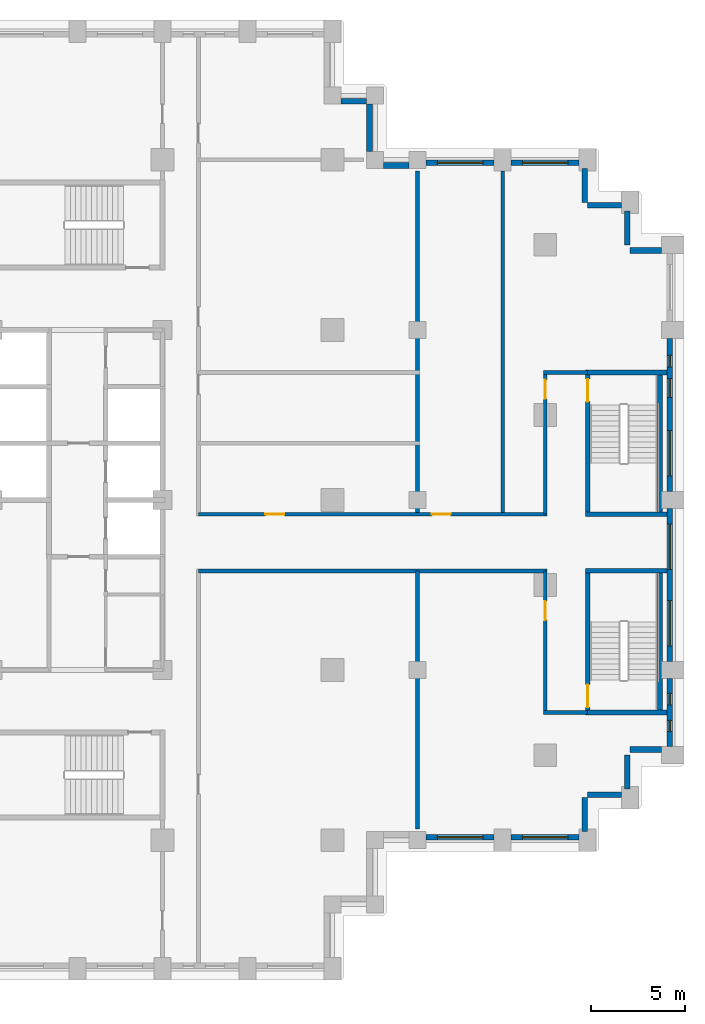
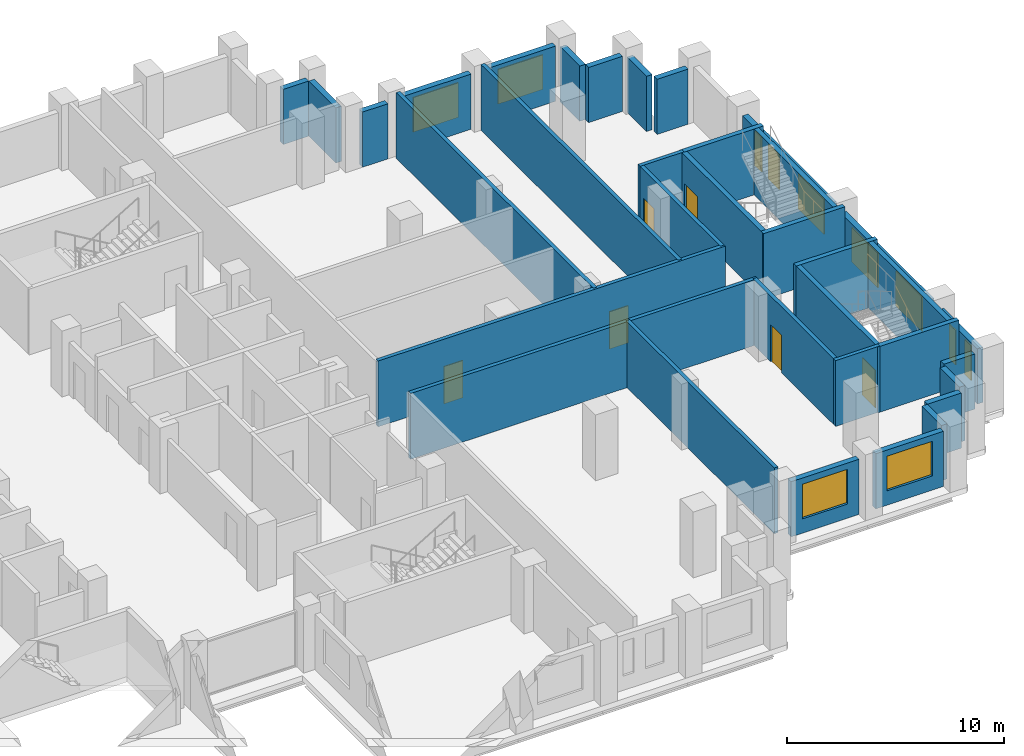
# One storey, part 11 of 15: 35 walls, 11 windows, 6 doors, 17 openings.
"""IFC4 building model written with IfcOpenShell, lengths in metres."""

from ifc_helpers import new_model, si_unit, direction, frame, frame_2d, origin, place, context, subcontext, project, spatial, rectangle, extrude, material, layer, layer_set, type_object, element, fill, save


model = new_model("IFC4")

# Units and contexts
model_context = context("Model", 3, precision=1e-05, world=origin(), true_north=direction((0.0, 1.0)))
body_context = subcontext(model_context, "Body", "Model", "MODEL_VIEW")
ifc_project = project(units=[si_unit("LENGTHUNIT", "METRE"), si_unit("AREAUNIT", "SQUARE_METRE"), si_unit("VOLUMEUNIT", "CUBIC_METRE"), si_unit("PLANEANGLEUNIT", "RADIAN"), si_unit("MASSUNIT", "GRAM", prefix="KILO")], contexts=[model_context])

# Site, building, storey
site_placement = place(None, origin())
site = spatial("IfcSite", under=ifc_project, at=site_placement, CompositionType="ELEMENT")
building_placement = place(site_placement, origin())
building = spatial("IfcBuilding", under=site, at=building_placement, Name="Corbelhall Arena Tower", CompositionType="ELEMENT")
storey_placement = place(building_placement, frame((0.0, 0.0, 84.0)))
storey = spatial("IfcBuildingStorey", under=building, at=storey_placement, Name="L13", CompositionType="ELEMENT", Elevation=84.0)

# Walls
ifc_material_1 = material(Name="Precast concrete C40/50 with granite facing", Category="masonry")
ifc_layer_1 = layer(ifc_material_1, 0.300048828125)
ifc_layer_set_1 = layer_set([ifc_layer_1], Name="EV-IW1 Infill panel 300")
wall_type_1 = type_object("IfcWallType", Name="EV-IW1 Infill panel 300", PredefinedType="SOLIDWALL", material=ifc_layer_set_1)
for number, where, z_axis, x_axis, name in (
    (1, (35.85009765625, -17.550048828125, 0.0), (0.0, 0.0, 1.0), (0.0, 1.0, 0.0), "Infill panel IW1"),
    (2, (37.800048828125, -15.60009765625, 0.0), (0.0, 0.0, 1.0), (-1.0, 0.0, 0.0), "Infill panel IW1"),
    (3, (38.10009765625, -15.300048828125, 0.0), (0.0, 0.0, 1.0), (0.0, 1.0, 0.0), "Infill panel IW1"),
):
    element("IfcWall", number, at=place(storey_placement, frame(where, z_axis=z_axis, x_axis=x_axis)), inside=storey, type_object=wall_type_1, Name=name, PredefinedType="SOLIDWALL", context=body_context, shape_type="SweptSolid", body=[
        extrude(rectangle(XDim=1.800048828125, YDim=0.300048828125, at=frame_2d((0.89990234375, 0.0))), origin(), (0.0, 0.0, 1.0), 3.10009765625),
    ])
for number, where, z_axis, x_axis, name in (
    (4, (39.89990234375, -13.199951171875, 0.0), (0.0, 0.0, 1.0), (-1.0, 0.0, 0.0), "Infill panel IW1"),
    (5, (39.89990234375, 13.199951171875, 0.0), (0.0, 0.0, 1.0), (-1.0, 0.0, 0.0), "Infill panel IW1"),
):
    element("IfcWall", number, at=place(storey_placement, frame(where, z_axis=z_axis, x_axis=x_axis)), inside=storey, type_object=wall_type_1, Name=name, PredefinedType="SOLIDWALL", context=body_context, shape_type="SweptSolid", body=[
        extrude(rectangle(XDim=1.64990234375, YDim=0.300048828125, at=frame_2d((0.824951171875, 0.0))), origin(), (0.0, 0.0, 1.0), 3.10009765625),
    ])
for number, where, z_axis, x_axis, name in (
    (6, (38.10009765625, 15.300048828125, 0.0), (0.0, 0.0, 1.0), (0.0, -1.0, 0.0), "Infill panel IW1"),
    (7, (37.800048828125, 15.60009765625, 0.0), (0.0, 0.0, 1.0), (-1.0, 0.0, 0.0), "Infill panel IW1"),
    (8, (35.85009765625, 17.550048828125, 0.0), (0.0, 0.0, 1.0), (0.0, -1.0, 0.0), "Infill panel IW1"),
):
    element("IfcWall", number, at=place(storey_placement, frame(where, z_axis=z_axis, x_axis=x_axis)), inside=storey, type_object=wall_type_1, Name=name, PredefinedType="SOLIDWALL", context=body_context, shape_type="SweptSolid", body=[
        extrude(rectangle(XDim=1.800048828125, YDim=0.300048828125, at=frame_2d((0.89990234375, 0.0))), origin(), (0.0, 0.0, 1.0), 3.10009765625),
    ])

# Wall, opening, window
wall_1_placement = place(storey_placement, frame((27.449951171875, -17.85009765625, 0.0), z_axis=(0.0, 0.0, 1.0), x_axis=(1.0, 0.0, 0.0)))
wall_1 = element("IfcWall", 9, at=wall_1_placement, inside=storey, type_object=wall_type_1, Name="Infill panel IW1", PredefinedType="SOLIDWALL", context=body_context, shape_type="SweptSolid", body=[
    extrude(rectangle(XDim=3.60009765625, YDim=0.300048828125, at=frame_2d((1.800048828125, 0.0))), origin(), (0.0, 0.0, 1.0), 3.10009765625),
])
opening_1_placement = place(wall_1_placement, frame((0.60009765625, 0.0, 0.800048828125)))
opening_1 = element("IfcOpeningElement", 10, at=opening_1_placement, cuts=wall_1, Name="Opening WN1", PredefinedType="OPENING", context=body_context, shape_type="SweptSolid", body=[
    extrude(rectangle(XDim=2.39990234375, YDim=1.949951171875, at=frame_2d((1.199951171875, 0.97509765625))), frame((0.0, 0.14990234375, 0.0), z_axis=(0.0, -1.0, 0.0), x_axis=(1.0, 0.0, 0.0)), (0.0, 0.0, 1.0), 0.300048828125),
])
ifc_material_2 = material(Name="Aluminium black anodised", Category="aluminium")
window_type_1 = type_object("IfcWindowType", Name="EV-WN1 Office window", PartitioningType="SINGLE_PANEL", PredefinedType="WINDOW", material=ifc_material_2)
window_1_placement = place(opening_1_placement, origin())
window_1 = element("IfcWindow", 11, at=window_1_placement, inside=storey, type_object=window_type_1, Name="Window WN1", OverallHeight=1.949951171875, OverallWidth=2.39990234375, PartitioningType="SINGLE_PANEL", PredefinedType="WINDOW", context=body_context, shape_type="SweptSolid", body=[
    extrude(rectangle(XDim=2.39990234375, YDim=1.949951171875, at=frame_2d((1.199951171875, 0.97509765625))), frame((0.0, 0.030029296875, 0.0), z_axis=(0.0, -1.0, 0.0), x_axis=(1.0, 0.0, 0.0)), (0.0, 0.0, 1.0), 0.06005859375),
])
fill(opening_1, window_1)

wall_2_placement = place(storey_placement, frame((31.949951171875, -17.85009765625, 0.0), z_axis=(0.0, 0.0, 1.0), x_axis=(1.0, 0.0, 0.0)))
wall_2 = element("IfcWall", 12, at=wall_2_placement, inside=storey, type_object=wall_type_1, Name="Infill panel IW1", PredefinedType="SOLIDWALL", context=body_context, shape_type="SweptSolid", body=[
    extrude(rectangle(XDim=3.60009765625, YDim=0.300048828125, at=frame_2d((1.800048828125, 0.0))), origin(), (0.0, 0.0, 1.0), 3.10009765625),
])
opening_2_placement = place(wall_2_placement, frame((0.60009765625, 0.0, 0.800048828125)))
opening_2 = element("IfcOpeningElement", 13, at=opening_2_placement, cuts=wall_2, Name="Opening WN1", PredefinedType="OPENING", context=body_context, shape_type="SweptSolid", body=[
    extrude(rectangle(XDim=2.39990234375, YDim=1.949951171875, at=frame_2d((1.199951171875, 0.97509765625))), frame((0.0, 0.14990234375, 0.0), z_axis=(0.0, -1.0, 0.0), x_axis=(1.0, 0.0, 0.0)), (0.0, 0.0, 1.0), 0.300048828125),
])
window_2_placement = place(opening_2_placement, origin())
window_2 = element("IfcWindow", 14, at=window_2_placement, inside=storey, type_object=window_type_1, Name="Window WN1", OverallHeight=1.949951171875, OverallWidth=2.39990234375, PartitioningType="SINGLE_PANEL", PredefinedType="WINDOW", context=body_context, shape_type="SweptSolid", body=[
    extrude(rectangle(XDim=2.39990234375, YDim=1.949951171875, at=frame_2d((1.199951171875, 0.97509765625))), frame((0.0, 0.030029296875, 0.0), z_axis=(0.0, -1.0, 0.0), x_axis=(1.0, 0.0, 0.0)), (0.0, 0.0, 1.0), 0.06005859375),
])
fill(opening_2, window_2)

# Wall, openings, windows
wall_3_placement = place(storey_placement, frame((40.35009765625, -13.050048828125, 0.0), z_axis=(0.0, 0.0, 1.0), x_axis=(0.0, 1.0, 0.0)))
wall_3 = element("IfcWall", 15, at=wall_3_placement, inside=storey, type_object=wall_type_1, Name="Infill panel IW1", PredefinedType="SOLIDWALL", context=body_context, shape_type="SweptSolid", body=[
    extrude(rectangle(XDim=3.60009765625, YDim=0.300048828125, at=frame_2d((1.800048828125, 0.0))), origin(), (0.0, 0.0, 1.0), 3.10009765625),
])
opening_3_placement = place(wall_3_placement, frame((0.78759765625, 0.0, 0.800048828125)))
opening_3 = element("IfcOpeningElement", 16, at=opening_3_placement, cuts=wall_3, Name="Opening WN5", PredefinedType="OPENING", context=body_context, shape_type="SweptSolid", body=[
    extrude(rectangle(XDim=0.60009765625, YDim=1.949951171875, at=frame_2d((0.300048828125, 0.97509765625))), frame((0.0, 0.14990234375, 0.0), z_axis=(0.0, -1.0, 0.0), x_axis=(1.0, 0.0, 0.0)), (0.0, 0.0, 1.0), 0.300048828125),
])
opening_4_placement = place(wall_3_placement, frame((2.21240234375, 0.0, 0.800048828125)))
opening_4 = element("IfcOpeningElement", 17, at=opening_4_placement, cuts=wall_3, Name="Opening WN5", PredefinedType="OPENING", context=body_context, shape_type="SweptSolid", body=[
    extrude(rectangle(XDim=0.60009765625, YDim=1.949951171875, at=frame_2d((0.300048828125, 0.97509765625))), frame((0.0, 0.14990234375, 0.0), z_axis=(0.0, -1.0, 0.0), x_axis=(1.0, 0.0, 0.0)), (0.0, 0.0, 1.0), 0.300048828125),
])
window_type_2 = type_object("IfcWindowType", Name="EV-WN5 Office window 600", PartitioningType="SINGLE_PANEL", PredefinedType="WINDOW", material=ifc_material_2)
window_3_placement = place(opening_3_placement, origin())
window_3 = element("IfcWindow", 18, at=window_3_placement, inside=storey, type_object=window_type_2, Name="Window WN5", OverallHeight=1.949951171875, OverallWidth=0.60009765625, PartitioningType="SINGLE_PANEL", PredefinedType="WINDOW", context=body_context, shape_type="SweptSolid", body=[
    extrude(rectangle(XDim=0.60009765625, YDim=1.949951171875, at=frame_2d((0.300048828125, 0.97509765625))), frame((0.0, 0.030029296875, 0.0), z_axis=(0.0, -1.0, 0.0), x_axis=(1.0, 0.0, 0.0)), (0.0, 0.0, 1.0), 0.06005859375),
])
fill(opening_3, window_3)
window_4_placement = place(opening_4_placement, origin())
window_4 = element("IfcWindow", 19, at=window_4_placement, inside=storey, type_object=window_type_2, Name="Window WN5", OverallHeight=1.949951171875, OverallWidth=0.60009765625, PartitioningType="SINGLE_PANEL", PredefinedType="WINDOW", context=body_context, shape_type="SweptSolid", body=[
    extrude(rectangle(XDim=0.60009765625, YDim=1.949951171875, at=frame_2d((0.300048828125, 0.97509765625))), frame((0.0, 0.030029296875, 0.0), z_axis=(0.0, -1.0, 0.0), x_axis=(1.0, 0.0, 0.0)), (0.0, 0.0, 1.0), 0.06005859375),
])
fill(opening_4, window_4)

wall_4_placement = place(storey_placement, frame((40.35009765625, -8.550048828125, 0.0), z_axis=(0.0, 0.0, 1.0), x_axis=(0.0, 1.0, 0.0)))
wall_4 = element("IfcWall", 20, at=wall_4_placement, inside=storey, type_object=wall_type_1, Name="Infill panel IW1", PredefinedType="SOLIDWALL", context=body_context, shape_type="SweptSolid", body=[
    extrude(rectangle(XDim=8.10009765625, YDim=0.300048828125, at=frame_2d((4.050048828125, 0.0))), origin(), (0.0, 0.0, 1.0), 3.10009765625),
])
opening_5_placement = place(wall_4_placement, frame((0.824951171875, 0.0, 0.800048828125)))
opening_5 = element("IfcOpeningElement", 21, at=opening_5_placement, cuts=wall_4, Name="Opening WN1", PredefinedType="OPENING", context=body_context, shape_type="SweptSolid", body=[
    extrude(rectangle(XDim=2.39990234375, YDim=1.949951171875, at=frame_2d((1.199951171875, 0.97509765625))), frame((0.0, 0.14990234375, 0.0), z_axis=(0.0, -1.0, 0.0), x_axis=(1.0, 0.0, 0.0)), (0.0, 0.0, 1.0), 0.300048828125),
])
opening_6_placement = place(wall_4_placement, frame((4.875, 0.0, 0.800048828125)))
opening_6 = element("IfcOpeningElement", 22, at=opening_6_placement, cuts=wall_4, Name="Opening WN1", PredefinedType="OPENING", context=body_context, shape_type="SweptSolid", body=[
    extrude(rectangle(XDim=2.39990234375, YDim=1.949951171875, at=frame_2d((1.199951171875, 0.97509765625))), frame((0.0, 0.14990234375, 0.0), z_axis=(0.0, -1.0, 0.0), x_axis=(1.0, 0.0, 0.0)), (0.0, 0.0, 1.0), 0.300048828125),
])
window_5_placement = place(opening_5_placement, origin())
window_5 = element("IfcWindow", 23, at=window_5_placement, inside=storey, type_object=window_type_1, Name="Window WN1", OverallHeight=1.949951171875, OverallWidth=2.39990234375, PartitioningType="SINGLE_PANEL", PredefinedType="WINDOW", context=body_context, shape_type="SweptSolid", body=[
    extrude(rectangle(XDim=2.39990234375, YDim=1.949951171875, at=frame_2d((1.199951171875, 0.97509765625))), frame((0.0, 0.030029296875, 0.0), z_axis=(0.0, -1.0, 0.0), x_axis=(1.0, 0.0, 0.0)), (0.0, 0.0, 1.0), 0.06005859375),
])
fill(opening_5, window_5)
window_6_placement = place(opening_6_placement, origin())
window_6 = element("IfcWindow", 24, at=window_6_placement, inside=storey, type_object=window_type_1, Name="Window WN1", OverallHeight=1.949951171875, OverallWidth=2.39990234375, PartitioningType="SINGLE_PANEL", PredefinedType="WINDOW", context=body_context, shape_type="SweptSolid", body=[
    extrude(rectangle(XDim=2.39990234375, YDim=1.949951171875, at=frame_2d((1.199951171875, 0.97509765625))), frame((0.0, 0.030029296875, 0.0), z_axis=(0.0, -1.0, 0.0), x_axis=(1.0, 0.0, 0.0)), (0.0, 0.0, 1.0), 0.06005859375),
])
fill(opening_6, window_6)

wall_5_placement = place(storey_placement, frame((40.35009765625, 0.449951171875, 0.0), z_axis=(0.0, 0.0, 1.0), x_axis=(0.0, 1.0, 0.0)))
wall_5 = element("IfcWall", 25, at=wall_5_placement, inside=storey, type_object=wall_type_1, Name="Infill panel IW1", PredefinedType="SOLIDWALL", context=body_context, shape_type="SweptSolid", body=[
    extrude(rectangle(XDim=8.10009765625, YDim=0.300048828125, at=frame_2d((4.050048828125, 0.0))), origin(), (0.0, 0.0, 1.0), 3.10009765625),
])
opening_7_placement = place(wall_5_placement, frame((0.824951171875, 0.0, 0.800048828125)))
opening_7 = element("IfcOpeningElement", 26, at=opening_7_placement, cuts=wall_5, Name="Opening WN1", PredefinedType="OPENING", context=body_context, shape_type="SweptSolid", body=[
    extrude(rectangle(XDim=2.39990234375, YDim=1.949951171875, at=frame_2d((1.199951171875, 0.97509765625))), frame((0.0, 0.14990234375, 0.0), z_axis=(0.0, -1.0, 0.0), x_axis=(1.0, 0.0, 0.0)), (0.0, 0.0, 1.0), 0.300048828125),
])
opening_8_placement = place(wall_5_placement, frame((4.97509765625, 0.0, 0.800048828125)))
opening_8 = element("IfcOpeningElement", 27, at=opening_8_placement, cuts=wall_5, Name="Opening WN6", PredefinedType="OPENING", context=body_context, shape_type="SweptSolid", body=[
    extrude(rectangle(XDim=1.0, YDim=1.949951171875, at=frame_2d((0.5, 0.97509765625))), frame((0.0, 0.14990234375, 0.0), z_axis=(0.0, -1.0, 0.0), x_axis=(1.0, 0.0, 0.0)), (0.0, 0.0, 1.0), 0.300048828125),
])
opening_9_placement = place(wall_5_placement, frame((6.60009765625, 0.0, 0.800048828125)))
opening_9 = element("IfcOpeningElement", 28, at=opening_9_placement, cuts=wall_5, Name="Opening WN5", PredefinedType="OPENING", context=body_context, shape_type="SweptSolid", body=[
    extrude(rectangle(XDim=0.60009765625, YDim=1.949951171875, at=frame_2d((0.300048828125, 0.97509765625))), frame((0.0, 0.14990234375, 0.0), z_axis=(0.0, -1.0, 0.0), x_axis=(1.0, 0.0, 0.0)), (0.0, 0.0, 1.0), 0.300048828125),
])
window_7_placement = place(opening_7_placement, origin())
window_7 = element("IfcWindow", 29, at=window_7_placement, inside=storey, type_object=window_type_1, Name="Window WN1", OverallHeight=1.949951171875, OverallWidth=2.39990234375, PartitioningType="SINGLE_PANEL", PredefinedType="WINDOW", context=body_context, shape_type="SweptSolid", body=[
    extrude(rectangle(XDim=2.39990234375, YDim=1.949951171875, at=frame_2d((1.199951171875, 0.97509765625))), frame((0.0, 0.030029296875, 0.0), z_axis=(0.0, -1.0, 0.0), x_axis=(1.0, 0.0, 0.0)), (0.0, 0.0, 1.0), 0.06005859375),
])
fill(opening_7, window_7)
window_8_placement = place(opening_9_placement, origin())
window_8 = element("IfcWindow", 30, at=window_8_placement, inside=storey, type_object=window_type_2, Name="Window WN5", OverallHeight=1.949951171875, OverallWidth=0.60009765625, PartitioningType="SINGLE_PANEL", PredefinedType="WINDOW", context=body_context, shape_type="SweptSolid", body=[
    extrude(rectangle(XDim=0.60009765625, YDim=1.949951171875, at=frame_2d((0.300048828125, 0.97509765625))), frame((0.0, 0.030029296875, 0.0), z_axis=(0.0, -1.0, 0.0), x_axis=(1.0, 0.0, 0.0)), (0.0, 0.0, 1.0), 0.06005859375),
])
fill(opening_9, window_8)
window_type_3 = type_object("IfcWindowType", Name="EV-WN6 Office window 1000", PartitioningType="SINGLE_PANEL", PredefinedType="WINDOW", material=ifc_material_2)
window_9_placement = place(opening_8_placement, origin())
window_9 = element("IfcWindow", 31, at=window_9_placement, inside=storey, type_object=window_type_3, Name="Window WN6", OverallHeight=1.949951171875, OverallWidth=1.0, PartitioningType="SINGLE_PANEL", PredefinedType="WINDOW", context=body_context, shape_type="SweptSolid", body=[
    extrude(rectangle(XDim=1.0, YDim=1.949951171875, at=frame_2d((0.5, 0.97509765625))), frame((0.0, 0.030029296875, 0.0), z_axis=(0.0, -1.0, 0.0), x_axis=(1.0, 0.0, 0.0)), (0.0, 0.0, 1.0), 0.06005859375),
])
fill(opening_8, window_9)

# Wall, opening, window
wall_6_placement = place(storey_placement, frame((35.550048828125, 17.85009765625, 0.0), z_axis=(0.0, 0.0, 1.0), x_axis=(-1.0, 0.0, 0.0)))
wall_6 = element("IfcWall", 32, at=wall_6_placement, inside=storey, type_object=wall_type_1, Name="Infill panel IW1", PredefinedType="SOLIDWALL", context=body_context, shape_type="SweptSolid", body=[
    extrude(rectangle(XDim=3.60009765625, YDim=0.300048828125, at=frame_2d((1.800048828125, 0.0))), origin(), (0.0, 0.0, 1.0), 3.10009765625),
])
opening_10_placement = place(wall_6_placement, frame((0.60009765625, 0.0, 0.800048828125)))
opening_10 = element("IfcOpeningElement", 33, at=opening_10_placement, cuts=wall_6, Name="Opening WN1", PredefinedType="OPENING", context=body_context, shape_type="SweptSolid", body=[
    extrude(rectangle(XDim=2.39990234375, YDim=1.949951171875, at=frame_2d((1.199951171875, 0.97509765625))), frame((0.0, 0.14990234375, 0.0), z_axis=(0.0, -1.0, 0.0), x_axis=(1.0, 0.0, 0.0)), (0.0, 0.0, 1.0), 0.300048828125),
])
window_10_placement = place(opening_10_placement, origin())
window_10 = element("IfcWindow", 34, at=window_10_placement, inside=storey, type_object=window_type_1, Name="Window WN1", OverallHeight=1.949951171875, OverallWidth=2.39990234375, PartitioningType="SINGLE_PANEL", PredefinedType="WINDOW", context=body_context, shape_type="SweptSolid", body=[
    extrude(rectangle(XDim=2.39990234375, YDim=1.949951171875, at=frame_2d((1.199951171875, 0.97509765625))), frame((0.0, 0.030029296875, 0.0), z_axis=(0.0, -1.0, 0.0), x_axis=(1.0, 0.0, 0.0)), (0.0, 0.0, 1.0), 0.06005859375),
])
fill(opening_10, window_10)

wall_7_placement = place(storey_placement, frame((31.050048828125, 17.85009765625, 0.0), z_axis=(0.0, 0.0, 1.0), x_axis=(-1.0, 0.0, 0.0)))
wall_7 = element("IfcWall", 35, at=wall_7_placement, inside=storey, type_object=wall_type_1, Name="Infill panel IW1", PredefinedType="SOLIDWALL", context=body_context, shape_type="SweptSolid", body=[
    extrude(rectangle(XDim=3.60009765625, YDim=0.300048828125, at=frame_2d((1.800048828125, 0.0))), origin(), (0.0, 0.0, 1.0), 3.10009765625),
])
opening_11_placement = place(wall_7_placement, frame((0.60009765625, 0.0, 0.800048828125)))
opening_11 = element("IfcOpeningElement", 36, at=opening_11_placement, cuts=wall_7, Name="Opening WN1", PredefinedType="OPENING", context=body_context, shape_type="SweptSolid", body=[
    extrude(rectangle(XDim=2.39990234375, YDim=1.949951171875, at=frame_2d((1.199951171875, 0.97509765625))), frame((0.0, 0.14990234375, 0.0), z_axis=(0.0, -1.0, 0.0), x_axis=(1.0, 0.0, 0.0)), (0.0, 0.0, 1.0), 0.300048828125),
])
window_11_placement = place(opening_11_placement, origin())
window_11 = element("IfcWindow", 37, at=window_11_placement, inside=storey, type_object=window_type_1, Name="Window WN1", OverallHeight=1.949951171875, OverallWidth=2.39990234375, PartitioningType="SINGLE_PANEL", PredefinedType="WINDOW", context=body_context, shape_type="SweptSolid", body=[
    extrude(rectangle(XDim=2.39990234375, YDim=1.949951171875, at=frame_2d((1.199951171875, 0.97509765625))), frame((0.0, 0.030029296875, 0.0), z_axis=(0.0, -1.0, 0.0), x_axis=(1.0, 0.0, 0.0)), (0.0, 0.0, 1.0), 0.06005859375),
])
fill(opening_11, window_11)

# Walls
wall_8_placement = place(storey_placement, frame((26.550048828125, 17.699951171875, 0.0), z_axis=(0.0, 0.0, 1.0), x_axis=(-1.0, 0.0, 0.0)))
element("IfcWall", 38, at=wall_8_placement, inside=storey, type_object=wall_type_1, Name="Infill panel IW1", PredefinedType="SOLIDWALL", context=body_context, shape_type="SweptSolid", body=[
    extrude(rectangle(XDim=1.35009765625, YDim=0.300048828125, at=frame_2d((0.675048828125, 0.0))), origin(), (0.0, 0.0, 1.0), 3.10009765625),
])
wall_9_placement = place(storey_placement, frame((24.449951171875, 18.449951171875, 0.0), z_axis=(0.0, 0.0, 1.0), x_axis=(0.0, 1.0, 0.0)))
element("IfcWall", 39, at=wall_9_placement, inside=storey, type_object=wall_type_1, Name="Infill panel IW1", PredefinedType="SOLIDWALL", context=body_context, shape_type="SweptSolid", body=[
    extrude(rectangle(XDim=2.5, YDim=0.300048828125, at=frame_2d((1.25, 0.0))), origin(), (0.0, 0.0, 1.0), 3.10009765625),
])
wall_10_placement = place(storey_placement, frame((24.300048828125, 21.10009765625, 0.0), z_axis=(0.0, 0.0, 1.0), x_axis=(-1.0, 0.0, 0.0)))
element("IfcWall", 40, at=wall_10_placement, inside=storey, type_object=wall_type_1, Name="Infill panel IW1", PredefinedType="SOLIDWALL", context=body_context, shape_type="SweptSolid", body=[
    extrude(rectangle(XDim=1.35009765625, YDim=0.300048828125, at=frame_2d((0.675048828125, 0.0))), origin(), (0.0, 0.0, 1.0), 3.10009765625),
])

# Wall, openings, doors
ifc_material_3 = material(Name="Gypsum board on steel stud, acoustic", Category="steel")
ifc_layer_2 = layer(ifc_material_3, 0.199951171875)
ifc_layer_set_2 = layer_set([ifc_layer_2], Name="IN-W-DM200")
wall_type_2 = type_object("IfcWallType", Name="IN-W-DM200", PredefinedType="PARTITIONING", material=ifc_layer_set_2)
wall_11_placement = place(storey_placement, frame((15.39990234375, -0.75, 0.0), z_axis=(0.0, 0.0, 1.0), x_axis=(1.0, 0.0, 0.0)))
wall_11 = element("IfcWall", 41, at=wall_11_placement, inside=storey, type_object=wall_type_2, Name="Partition 029", PredefinedType="PARTITIONING", context=body_context, shape_type="SweptSolid", body=[
    extrude(rectangle(XDim=18.4501953125, YDim=0.199951171875, at=frame_2d((9.22509765625, 0.0))), origin(), (0.0, 0.0, 1.0), 3.699951171875),
])
opening_12_placement = place(wall_11_placement, frame((3.550048828125, 0.0, 0.0)))
opening_12 = element("IfcOpeningElement", 42, at=opening_12_placement, cuts=wall_11, Name="Opening 02032", PredefinedType="OPENING", context=body_context, shape_type="SweptSolid", body=[
    extrude(rectangle(XDim=1.0, YDim=2.10009765625, at=frame_2d((0.5, 1.050048828125))), frame((0.0, 0.10009765625, 0.0), z_axis=(0.0, -1.0, 0.0), x_axis=(1.0, 0.0, 0.0)), (0.0, 0.0, 1.0), 0.199951171875),
])
opening_13_placement = place(wall_11_placement, frame((12.35009765625, 0.0, 0.0)))
opening_13 = element("IfcOpeningElement", 43, at=opening_13_placement, cuts=wall_11, Name="Opening 02040", PredefinedType="OPENING", context=body_context, shape_type="SweptSolid", body=[
    extrude(rectangle(XDim=1.0, YDim=2.10009765625, at=frame_2d((0.5, 1.050048828125))), frame((0.0, 0.10009765625, 0.0), z_axis=(0.0, -1.0, 0.0), x_axis=(1.0, 0.0, 0.0)), (0.0, 0.0, 1.0), 0.199951171875),
])
ifc_material_4 = material(Name="Steel door set", Category="steel")
door_type_1 = type_object("IfcDoorType", Name="IN-D-SW100", OperationType="NOTDEFINED", PredefinedType="DOOR", material=ifc_material_4)
door_1_placement = place(opening_12_placement, origin())
door_1 = element("IfcDoor", 44, at=door_1_placement, inside=storey, type_object=door_type_1, Name="Door 032", OperationType="SINGLE_SWING_LEFT", OverallHeight=2.10009765625, OverallWidth=1.0, PredefinedType="DOOR", context=body_context, shape_type="SweptSolid", body=[
    extrude(rectangle(XDim=1.0, YDim=2.10009765625, at=frame_2d((0.5, 1.050048828125))), frame((0.0, 0.02490234375, 0.0), z_axis=(0.0, -1.0, 0.0), x_axis=(1.0, 0.0, 0.0)), (0.0, 0.0, 1.0), 0.050048828125),
])
fill(opening_12, door_1)
door_2_placement = place(opening_13_placement, origin())
door_2 = element("IfcDoor", 45, at=door_2_placement, inside=storey, type_object=door_type_1, Name="Door 040", OperationType="SINGLE_SWING_LEFT", OverallHeight=2.10009765625, OverallWidth=1.0, PredefinedType="DOOR", context=body_context, shape_type="SweptSolid", body=[
    extrude(rectangle(XDim=1.0, YDim=2.10009765625, at=frame_2d((0.5, 1.050048828125))), frame((0.0, 0.02490234375, 0.0), z_axis=(0.0, -1.0, 0.0), x_axis=(1.0, 0.0, 0.0)), (0.0, 0.0, 1.0), 0.050048828125),
])
fill(opening_13, door_2)

# Walls
wall_12_placement = place(storey_placement, frame((27.0, -3.75, 0.0), z_axis=(0.0, 0.0, 1.0), x_axis=(0.0, -1.0, 0.0)))
element("IfcWall", 46, at=wall_12_placement, inside=storey, type_object=wall_type_2, Name="Partition 034", PredefinedType="PARTITIONING", context=body_context, shape_type="SweptSolid", body=[
    extrude(rectangle(XDim=13.64990234375, YDim=0.199951171875, at=frame_2d((6.824951171875, 0.0))), origin(), (0.0, 0.0, 1.0), 3.699951171875),
])
wall_13_placement = place(storey_placement, frame((27.0, 17.39990234375, 0.0), z_axis=(0.0, 0.0, 1.0), x_axis=(0.0, -1.0, 0.0)))
element("IfcWall", 47, at=wall_13_placement, inside=storey, type_object=wall_type_2, Name="Partition 035", PredefinedType="PARTITIONING", context=body_context, shape_type="SweptSolid", body=[
    extrude(rectangle(XDim=18.14990234375, YDim=0.199951171875, at=frame_2d((9.074951171875, 0.0))), origin(), (0.0, 0.0, 1.0), 3.699951171875),
])
wall_14_placement = place(storey_placement, frame((33.85009765625, -3.75, 0.0), z_axis=(0.0, 0.0, 1.0), x_axis=(-1.0, 0.0, 0.0)))
element("IfcWall", 48, at=wall_14_placement, inside=storey, type_object=wall_type_2, Name="Partition 036", PredefinedType="PARTITIONING", context=body_context, shape_type="SweptSolid", body=[
    extrude(rectangle(XDim=18.4501953125, YDim=0.199951171875, at=frame_2d((9.22509765625, 0.0))), origin(), (0.0, 0.0, 1.0), 3.699951171875),
])
wall_15_placement = place(storey_placement, frame((31.5, 17.39990234375, 0.0), z_axis=(0.0, 0.0, 1.0), x_axis=(0.0, -1.0, 0.0)))
element("IfcWall", 49, at=wall_15_placement, inside=storey, type_object=wall_type_2, Name="Partition 037", PredefinedType="PARTITIONING", context=body_context, shape_type="SweptSolid", body=[
    extrude(rectangle(XDim=18.14990234375, YDim=0.199951171875, at=frame_2d((9.074951171875, 0.0))), origin(), (0.0, 0.0, 1.0), 3.699951171875),
])
wall_16_placement = place(storey_placement, frame((33.64990234375, 6.75, 0.0), z_axis=(0.0, 0.0, 1.0), x_axis=(1.0, 0.0, 0.0)))
element("IfcWall", 50, at=wall_16_placement, inside=storey, type_object=wall_type_2, Name="Partition 038", PredefinedType="PARTITIONING", context=body_context, shape_type="SweptSolid", body=[
    extrude(rectangle(XDim=2.35009765625, YDim=0.199951171875, at=frame_2d((1.175048828125, 0.0))), origin(), (0.0, 0.0, 1.0), 3.699951171875),
])

# Wall, opening, door
wall_17_placement = place(storey_placement, frame((33.75, -11.25, 0.0), z_axis=(0.0, 0.0, 1.0), x_axis=(0.0, 1.0, 0.0)))
wall_17 = element("IfcWall", 51, at=wall_17_placement, inside=storey, type_object=wall_type_2, Name="Partition 039", PredefinedType="PARTITIONING", context=body_context, shape_type="SweptSolid", body=[
    extrude(rectangle(XDim=7.5, YDim=0.199951171875, at=frame_2d((3.75, 0.0))), origin(), (0.0, 0.0, 1.0), 3.699951171875),
])
opening_14_placement = place(wall_17_placement, frame((4.89990234375, 0.0, 0.0)))
opening_14 = element("IfcOpeningElement", 52, at=opening_14_placement, cuts=wall_17, Name="Opening 02042", PredefinedType="OPENING", context=body_context, shape_type="SweptSolid", body=[
    extrude(rectangle(XDim=1.0, YDim=2.10009765625, at=frame_2d((0.5, 1.050048828125))), frame((0.0, 0.10009765625, 0.0), z_axis=(0.0, -1.0, 0.0), x_axis=(1.0, 0.0, 0.0)), (0.0, 0.0, 1.0), 0.199951171875),
])
door_3_placement = place(opening_14_placement, origin())
door_3 = element("IfcDoor", 53, at=door_3_placement, inside=storey, type_object=door_type_1, Name="Door 042", OperationType="SINGLE_SWING_LEFT", OverallHeight=2.10009765625, OverallWidth=1.0, PredefinedType="DOOR", context=body_context, shape_type="SweptSolid", body=[
    extrude(rectangle(XDim=1.0, YDim=2.10009765625, at=frame_2d((0.5, 1.050048828125))), frame((0.0, 0.02490234375, 0.0), z_axis=(0.0, -1.0, 0.0), x_axis=(1.0, 0.0, 0.0)), (0.0, 0.0, 1.0), 0.050048828125),
])
fill(opening_14, door_3)

wall_18_placement = place(storey_placement, frame((33.75, -0.75, 0.0), z_axis=(0.0, 0.0, 1.0), x_axis=(0.0, 1.0, 0.0)))
wall_18 = element("IfcWall", 54, at=wall_18_placement, inside=storey, type_object=wall_type_2, Name="Partition 040", PredefinedType="PARTITIONING", context=body_context, shape_type="SweptSolid", body=[
    extrude(rectangle(XDim=7.5, YDim=0.199951171875, at=frame_2d((3.75, 0.0))), origin(), (0.0, 0.0, 1.0), 3.699951171875),
])
opening_15_placement = place(wall_18_placement, frame((6.10009765625, 0.0, 0.0)))
opening_15 = element("IfcOpeningElement", 55, at=opening_15_placement, cuts=wall_18, Name="Opening 02041", PredefinedType="OPENING", context=body_context, shape_type="SweptSolid", body=[
    extrude(rectangle(XDim=1.0, YDim=2.10009765625, at=frame_2d((0.5, 1.050048828125))), frame((0.0, 0.10009765625, 0.0), z_axis=(0.0, -1.0, 0.0), x_axis=(1.0, 0.0, 0.0)), (0.0, 0.0, 1.0), 0.199951171875),
])
door_4_placement = place(opening_15_placement, origin())
door_4 = element("IfcDoor", 56, at=door_4_placement, inside=storey, type_object=door_type_1, Name="Door 041", OperationType="SINGLE_SWING_RIGHT", OverallHeight=2.10009765625, OverallWidth=1.0, PredefinedType="DOOR", context=body_context, shape_type="SweptSolid", body=[
    extrude(rectangle(XDim=1.0, YDim=2.10009765625, at=frame_2d((0.5, 1.050048828125))), frame((0.0, 0.02490234375, 0.0), z_axis=(0.0, -1.0, 0.0), x_axis=(1.0, 0.0, 0.0)), (0.0, 0.0, 1.0), 0.050048828125),
])
fill(opening_15, door_4)

# Walls
wall_19_placement = place(storey_placement, frame((36.0, -11.25, 0.0), z_axis=(0.0, 0.0, 1.0), x_axis=(-1.0, 0.0, 0.0)))
element("IfcWall", 57, at=wall_19_placement, inside=storey, type_object=wall_type_2, Name="Partition 041", PredefinedType="PARTITIONING", context=body_context, shape_type="SweptSolid", body=[
    extrude(rectangle(XDim=2.35009765625, YDim=0.199951171875, at=frame_2d((1.175048828125, 0.0))), origin(), (0.0, 0.0, 1.0), 3.699951171875),
])
ifc_material_5 = material(Name="Concrete C40/50", Category="concrete")
ifc_layer_3 = layer(ifc_material_5, 0.25)
ifc_layer_set_3 = layer_set([ifc_layer_3], Name="IN-W-ST250")
wall_type_3 = type_object("IfcWallType", Name="IN-W-ST250", PredefinedType="SOLIDWALL", material=ifc_layer_set_3)
wall_20_placement = place(storey_placement, frame((35.875, -0.75, 0.0), z_axis=(0.0, 0.0, 1.0), x_axis=(1.0, 0.0, 0.0)))
element("IfcWall", 58, at=wall_20_placement, inside=storey, type_object=wall_type_3, Name="Shaft wall 101", PredefinedType="SOLIDWALL", context=body_context, shape_type="SweptSolid", body=[
    extrude(rectangle(XDim=4.324951171875, YDim=0.25, at=frame_2d((2.16259765625, 0.0))), origin(), (0.0, 0.0, 1.0), 3.699951171875),
])

# Wall, opening, door
wall_21_placement = place(storey_placement, frame((36.0, -11.375, 0.0), z_axis=(0.0, 0.0, 1.0), x_axis=(0.0, 1.0, 0.0)))
wall_21 = element("IfcWall", 59, at=wall_21_placement, inside=storey, type_object=wall_type_3, Name="Shaft wall 102", PredefinedType="SOLIDWALL", context=body_context, shape_type="SweptSolid", body=[
    extrude(rectangle(XDim=7.625, YDim=0.25, at=frame_2d((3.8125, 0.0))), origin(), (0.0, 0.0, 1.0), 3.699951171875),
])
opening_16_placement = place(wall_21_placement, frame((0.39990234375, 0.0, 0.0)))
opening_16 = element("IfcOpeningElement", 60, at=opening_16_placement, cuts=wall_21, Name="Opening 02020", PredefinedType="OPENING", context=body_context, shape_type="SweptSolid", body=[
    extrude(rectangle(XDim=1.199951171875, YDim=2.10009765625, at=frame_2d((0.60009765625, 1.050048828125))), frame((0.0, 0.125, 0.0), z_axis=(0.0, -1.0, 0.0), x_axis=(1.0, 0.0, 0.0)), (0.0, 0.0, 1.0), 0.25),
])
door_type_2 = type_object("IfcDoorType", Name="IN-D-ST120", OperationType="NOTDEFINED", PredefinedType="DOOR", material=ifc_material_4)
door_5_placement = place(opening_16_placement, origin())
door_5 = element("IfcDoor", 61, at=door_5_placement, inside=storey, type_object=door_type_2, Name="Door 020", OperationType="SINGLE_SWING_LEFT", OverallHeight=2.10009765625, OverallWidth=1.199951171875, PredefinedType="DOOR", context=body_context, shape_type="SweptSolid", body=[
    extrude(rectangle(XDim=1.199951171875, YDim=2.10009765625, at=frame_2d((0.60009765625, 1.050048828125))), frame((0.0, 0.02490234375, 0.0), z_axis=(0.0, -1.0, 0.0), x_axis=(1.0, 0.0, 0.0)), (0.0, 0.0, 1.0), 0.050048828125),
])
fill(opening_16, door_5)

wall_22_placement = place(storey_placement, frame((36.0, -0.75, 0.0), z_axis=(0.0, 0.0, 1.0), x_axis=(0.0, 1.0, 0.0)))
wall_22 = element("IfcWall", 62, at=wall_22_placement, inside=storey, type_object=wall_type_3, Name="Shaft wall 103", PredefinedType="SOLIDWALL", context=body_context, shape_type="SweptSolid", body=[
    extrude(rectangle(XDim=7.625, YDim=0.25, at=frame_2d((3.8125, 0.0))), origin(), (0.0, 0.0, 1.0), 3.699951171875),
])
opening_17_placement = place(wall_22_placement, frame((5.949951171875, 0.0, 0.0)))
opening_17 = element("IfcOpeningElement", 63, at=opening_17_placement, cuts=wall_22, Name="Opening 02021", PredefinedType="OPENING", context=body_context, shape_type="SweptSolid", body=[
    extrude(rectangle(XDim=1.199951171875, YDim=2.10009765625, at=frame_2d((0.60009765625, 1.050048828125))), frame((0.0, 0.125, 0.0), z_axis=(0.0, -1.0, 0.0), x_axis=(1.0, 0.0, 0.0)), (0.0, 0.0, 1.0), 0.25),
])
door_6_placement = place(opening_17_placement, origin())
door_6 = element("IfcDoor", 64, at=door_6_placement, inside=storey, type_object=door_type_2, Name="Door 021", OperationType="SINGLE_SWING_RIGHT", OverallHeight=2.10009765625, OverallWidth=1.199951171875, PredefinedType="DOOR", context=body_context, shape_type="SweptSolid", body=[
    extrude(rectangle(XDim=1.199951171875, YDim=2.10009765625, at=frame_2d((0.60009765625, 1.050048828125))), frame((0.0, 0.02490234375, 0.0), z_axis=(0.0, -1.0, 0.0), x_axis=(1.0, 0.0, 0.0)), (0.0, 0.0, 1.0), 0.050048828125),
])
fill(opening_17, door_6)

# Walls
for number, where, z_axis, x_axis, name in (
    (65, (36.0, 6.75, 0.0), (0.0, 0.0, 1.0), (1.0, 0.0, 0.0), "Shaft wall 104"),
    (66, (40.199951171875, -11.25, 0.0), (0.0, 0.0, 1.0), (-1.0, 0.0, 0.0), "Shaft wall 105"),
):
    element("IfcWall", number, at=place(storey_placement, frame(where, z_axis=z_axis, x_axis=x_axis)), inside=storey, type_object=wall_type_3, Name=name, PredefinedType="SOLIDWALL", context=body_context, shape_type="SweptSolid", body=[
        extrude(rectangle(XDim=4.199951171875, YDim=0.25, at=frame_2d((2.10009765625, 0.0))), origin(), (0.0, 0.0, 1.0), 3.699951171875),
    ])
wall_23_placement = place(storey_placement, frame((40.199951171875, -3.75, 0.0), z_axis=(0.0, 0.0, 1.0), x_axis=(-1.0, 0.0, 0.0)))
element("IfcWall", 67, at=wall_23_placement, inside=storey, type_object=wall_type_3, Name="Shaft wall 106", PredefinedType="SOLIDWALL", context=body_context, shape_type="SweptSolid", body=[
    extrude(rectangle(XDim=4.324951171875, YDim=0.25, at=frame_2d((2.16259765625, 0.0))), origin(), (0.0, 0.0, 1.0), 3.699951171875),
])
for number, where, z_axis, x_axis, name in (
    (68, (39.824951171875, -11.125, 0.0), (0.0, 0.0, 1.0), (0.0, 1.0, 0.0), "Shaft wall SD1 facade side"),
    (69, (39.824951171875, -0.625, 0.0), (0.0, 0.0, 1.0), (0.0, 1.0, 0.0), "Shaft wall SD2 facade side"),
):
    element("IfcWall", number, at=place(storey_placement, frame(where, z_axis=z_axis, x_axis=x_axis)), inside=storey, type_object=wall_type_3, Name=name, PredefinedType="SOLIDWALL", context=body_context, shape_type="SweptSolid", body=[
        extrude(rectangle(XDim=7.25, YDim=0.25, at=frame_2d((3.625, 0.0))), origin(), (0.0, 0.0, 1.0), 3.699951171875),
    ])

save(model, "model.ifc")
